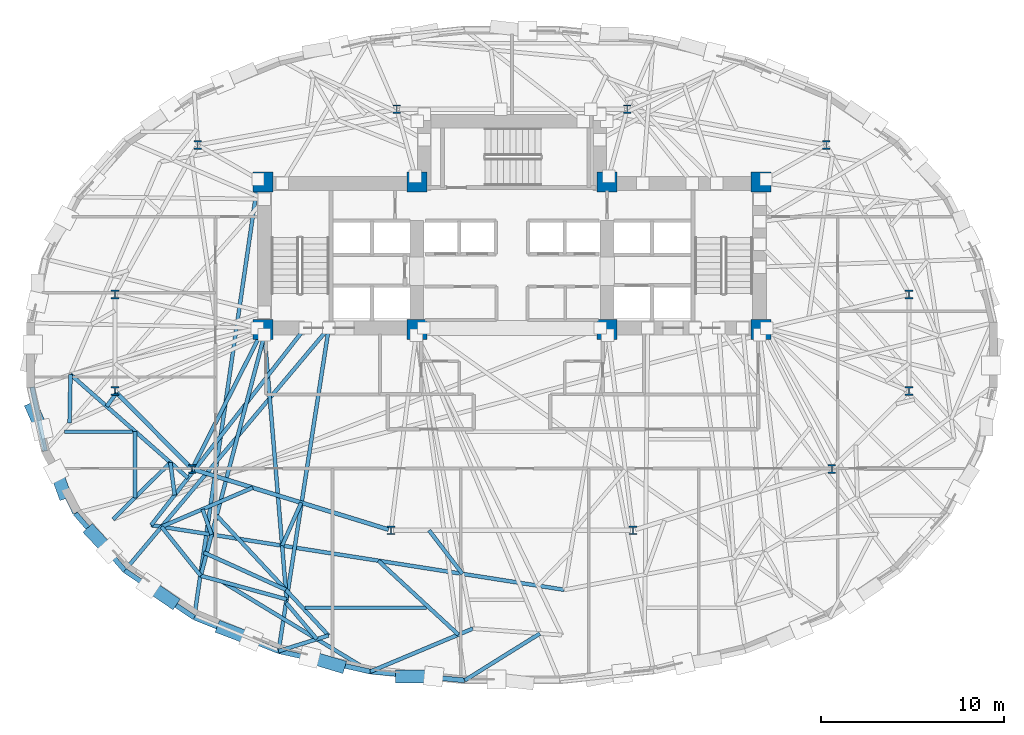
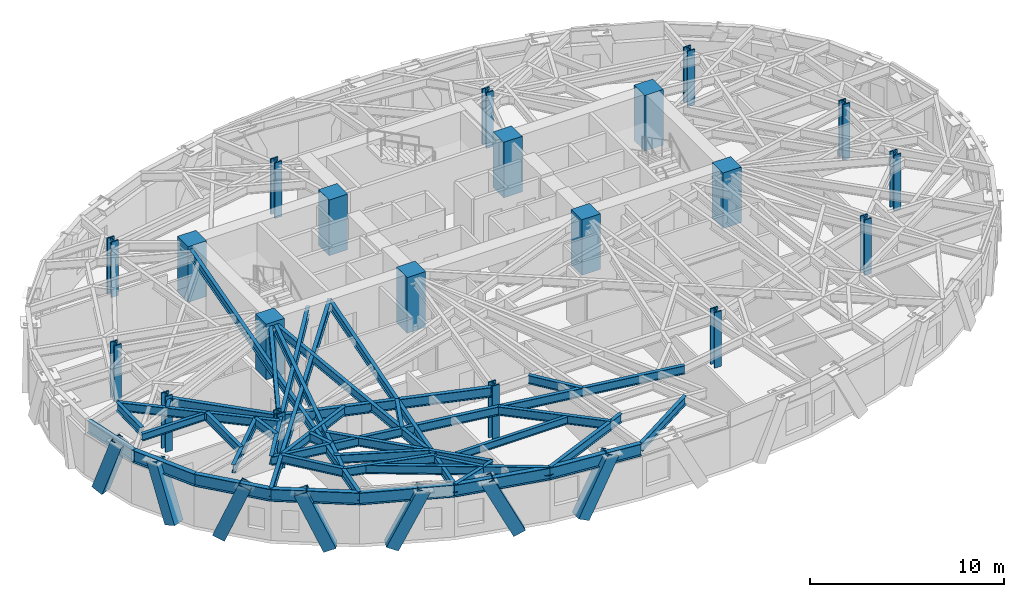
# One storey, part 1 of 14: 39 beams, 20 columns, 7 members.
"""IFC4 building model written with IfcOpenShell, lengths in metres."""

from ifc_helpers import new_model, si_unit, direction, frame, origin, origin_2d, place, context, subcontext, project, spatial, rectangle, hollow_rectangle, i_section, extrude, material, material_profile, profile_set, type_object, element, save


model = new_model("IFC4")

# Units and contexts
model_context = context("Model", 3, precision=1e-05, world=origin(), true_north=direction((0.0, 1.0)))
body_context = subcontext(model_context, "Body", "Model", "MODEL_VIEW")
ifc_project = project(units=[si_unit("LENGTHUNIT", "METRE"), si_unit("AREAUNIT", "SQUARE_METRE"), si_unit("VOLUMEUNIT", "CUBIC_METRE"), si_unit("PLANEANGLEUNIT", "RADIAN"), si_unit("MASSUNIT", "GRAM", prefix="KILO")], contexts=[model_context])

# Site, building, storey
site_placement = place(None, origin())
site = spatial("IfcSite", under=ifc_project, at=site_placement, CompositionType="ELEMENT")
building_placement = place(site_placement, origin())
building = spatial("IfcBuilding", under=site, at=building_placement, Name="Keldmark Tower", CompositionType="ELEMENT")
storey_placement = place(building_placement, frame((0.0, 0.0, 117.60009765625)))
storey = spatial("IfcBuildingStorey", under=building, at=storey_placement, Name="L31", CompositionType="ELEMENT", Elevation=117.60009765625)

# Columns
ifc_material_1 = material(Name="Concrete C70/85", Category="concrete")
ifc_material_profile_1 = material_profile(ifc_material_1, rectangle(XDim=1.10009765625, YDim=1.10009765625, at=origin_2d()), Name="RC1100X1100")
ifc_profile_set_1 = profile_set([ifc_material_profile_1], Name="Concrete C70/85")
column_type_1 = type_object("IfcColumnType", Name="Core Boundary Column RC1100", PredefinedType="COLUMN", material=ifc_profile_set_1)
for number, where, z_axis, x_axis, name in (
    (1, (-13.60009765625, 1.39990234375, 0.0), (0.0, 0.0, 1.0), (1.0, 0.0, 0.0), "L31 Core Boundary Column CC-W1"),
    (2, (-13.60009765625, 9.449951171875, 0.0), (0.0, 0.0, 1.0), (1.0, 0.0, 0.0), "L31 Core Boundary Column CC-W2"),
    (3, (-5.199951171875, 1.39990234375, 0.0), (0.0, 0.0, 1.0), (1.0, 0.0, 0.0), "L31 Core Boundary Column CC-W3"),
    (4, (-5.199951171875, 9.449951171875, 0.0), (0.0, 0.0, 1.0), (1.0, 0.0, 0.0), "L31 Core Boundary Column CC-W4"),
    (5, (5.199951171875, 1.39990234375, 0.0), (0.0, 0.0, 1.0), (1.0, 0.0, 0.0), "L31 Core Boundary Column CC-E1"),
    (6, (5.199951171875, 9.449951171875, 0.0), (0.0, 0.0, 1.0), (1.0, 0.0, 0.0), "L31 Core Boundary Column CC-E2"),
    (7, (13.60009765625, 1.39990234375, 0.0), (0.0, 0.0, 1.0), (1.0, 0.0, 0.0), "L31 Core Boundary Column CC-E3"),
    (8, (13.60009765625, 9.449951171875, 0.0), (0.0, 0.0, 1.0), (1.0, 0.0, 0.0), "L31 Core Boundary Column CC-E4"),
):
    element("IfcColumn", number, at=place(storey_placement, frame(where, z_axis=z_axis, x_axis=x_axis)), inside=storey, type_object=column_type_1, Name=name, PredefinedType="COLUMN", context=body_context, shape_type="SweptSolid", body=[
        extrude(rectangle(XDim=1.10009765625, YDim=1.10009765625, at=origin_2d()), origin(), (0.0, 0.0, 1.0), 3.5),
    ])
ifc_material_2 = material(Name="Steel ASTM A992 Grade 50", Category="steel")
ifc_material_profile_2 = material_profile(ifc_material_2, i_section(OverallWidth=0.424072265625, OverallDepth=0.47412109375, WebThickness=0.047607421875, FlangeThickness=0.0771484375, at=origin_2d()), Name="W14X426")
ifc_profile_set_2 = profile_set([ifc_material_profile_2], Name="Steel ASTM A992 Grade 50")
column_type_2 = type_object("IfcColumnType", Name="Tower Gravity Column W14X426", PredefinedType="COLUMN", material=ifc_profile_set_2)
for number, where, z_axis, x_axis, name in (
    (9, (21.697021484375, 3.309814453125, 0.0), (0.0, 0.0, 1.0), (1.0, 0.0, 0.0), "L31 Tower Gravity Column TC-E1"),
    (10, (17.1669921875, 11.478271484375, 0.0), (0.0, 0.0, 1.0), (1.0, 0.0, 0.0), "L31 Tower Gravity Column TC-E4"),
    (11, (6.298828125, 13.4326171875, 0.0), (0.0, 0.0, 1.0), (1.0, 0.0, 0.0), "L31 Tower Gravity Column TC-N2"),
    (12, (-6.298828125, 13.4326171875, 0.0), (0.0, 0.0, 1.0), (1.0, 0.0, 0.0), "L31 Tower Gravity Column TC-N1"),
    (13, (-17.1669921875, 11.478271484375, 0.0), (0.0, 0.0, 1.0), (1.0, 0.0, 0.0), "L31 Tower Gravity Column TC-W4"),
    (14, (-21.697021484375, 3.309814453125, 0.0), (0.0, 0.0, 1.0), (1.0, 0.0, 0.0), "L31 Tower Gravity Column TC-W1"),
    (15, (-21.697021484375, -1.9658203125, 0.0), (0.0, 0.0, 1.0), (1.0, 0.0, 0.0), "L31 Tower Gravity Column TC-W5"),
    (16, (-17.477294921875, -6.2294921875, 0.0), (0.0, 0.0, 1.0), (1.0, 0.0, 0.0), "L31 Tower Gravity Column TC-W2"),
    (17, (-6.61279296875, -9.579345703125, 0.0), (0.0, 0.0, 1.0), (1.0, 0.0, 0.0), "L31 Tower Gravity Column TC-W3"),
    (18, (6.61279296875, -9.579345703125, 0.0), (0.0, 0.0, 1.0), (1.0, 0.0, 0.0), "L31 Tower Gravity Column TC-E3"),
    (19, (17.477294921875, -6.2294921875, 0.0), (0.0, 0.0, 1.0), (1.0, 0.0, 0.0), "L31 Tower Gravity Column TC-E2"),
    (20, (21.697021484375, -1.9658203125, 0.0), (0.0, 0.0, 1.0), (1.0, 0.0, 0.0), "L31 Tower Gravity Column TC-E5"),
):
    element("IfcColumn", number, at=place(storey_placement, frame(where, z_axis=z_axis, x_axis=x_axis)), inside=storey, type_object=column_type_2, Name=name, PredefinedType="COLUMN", context=body_context, shape_type="SweptSolid", body=[
        extrude(i_section(OverallWidth=0.424072265625, OverallDepth=0.47412109375, WebThickness=0.047607421875, FlangeThickness=0.0771484375, at=origin_2d()), origin(), (0.0, 0.0, 1.0), 3.5),
    ])

# Beams
ifc_material_3 = material(Name="Steel ASTM A992 Grade 50", Category="steel")
ifc_material_profile_3 = material_profile(ifc_material_3, i_section(OverallWidth=0.19091796875, OverallDepth=0.45703125, WebThickness=0.009033203125, FlangeThickness=0.014404296875, at=origin_2d()), Name="W18X50")
ifc_profile_set_3 = profile_set([ifc_material_profile_3], Name="Steel ASTM A992 Grade 50")
beam_type_1 = type_object("IfcBeamType", Name="Composite Floor Joist W18X50", PredefinedType="JOIST", material=ifc_profile_set_3)
beam_1_placement = place(storey_placement, frame((-11.3154296875, -13.800048828125, 3.081298828125), z_axis=(1.0, 0.0, 0.0), x_axis=(0.0, 1.0, 0.0)))
element("IfcBeam", 21, at=beam_1_placement, inside=storey, type_object=beam_type_1, Name="L31 Composite Floor Joist J01", PredefinedType="JOIST", context=body_context, shape_type="SweptSolid", body=[
    extrude(i_section(OverallWidth=0.19091796875, OverallDepth=0.45703125, WebThickness=0.009033203125, FlangeThickness=0.014404296875, at=origin_2d()), origin(), (0.0, 0.0, 1.0), 6.641845703125),
])
beam_2_placement = place(storey_placement, frame((-24.45556640625, -4.179931640625, 3.081298828125), z_axis=(1.0, 0.0, 0.0), x_axis=(0.0, 1.0, 0.0)))
element("IfcBeam", 22, at=beam_2_placement, inside=storey, type_object=beam_type_1, Name="L31 Composite Floor Joist J05", PredefinedType="JOIST", context=body_context, shape_type="SweptSolid", body=[
    extrude(i_section(OverallWidth=0.19091796875, OverallDepth=0.45703125, WebThickness=0.009033203125, FlangeThickness=0.014404296875, at=origin_2d()), origin(), (0.0, 0.0, 1.0), 3.72216796875),
])

# Members
ifc_material_4 = material(Name="Steel ASTM A572 Grade 50", Category="steel")
ifc_material_profile_4 = material_profile(ifc_material_4, hollow_rectangle(XDim=0.699951171875, YDim=0.699951171875, WallThickness=0.044921875, at=origin_2d()), Name="BOX700X700X45")
ifc_profile_set_4 = profile_set([ifc_material_profile_4], Name="Steel ASTM A572 Grade 50")
member_type = type_object("IfcMemberType", Name="Diagrid Zone 2 Brace BOX700X700X45", PredefinedType="BRACE", material=ifc_profile_set_4)
member_1_placement = place(storey_placement, frame((-26.193603515625, -2.937744140625, -0.27001953125), z_axis=(0.136715052981, -0.309551033024, 0.941003268986), x_axis=(0.914755754377, 0.404007314085, 0.0)))
element("IfcMember", 23, at=member_1_placement, inside=storey, type_object=member_type, Name="L31 Perimeter Diagrid Brace 09A", PredefinedType="BRACE", context=body_context, shape_type="SweptSolid", body=[
    extrude(hollow_rectangle(XDim=0.699951171875, YDim=0.699951171875, WallThickness=0.044921875, at=origin_2d()), origin(), (0.0, 0.0, 1.0), 3.677001953125),
])
member_2_placement = place(storey_placement, frame((-24.48193359375, -7.53173828125, -0.27001953125), z_axis=(-0.115677594289, 0.31774815653, 0.941092345735), x_axis=(-0.939667219059, -0.342089925935, 0.0)))
element("IfcMember", 24, at=member_2_placement, inside=storey, type_object=member_type, Name="L31 Perimeter Diagrid Brace 09B", PredefinedType="BRACE", context=body_context, shape_type="SweptSolid", body=[
    extrude(hollow_rectangle(XDim=0.699951171875, YDim=0.699951171875, WallThickness=0.044921875, at=origin_2d()), origin(), (0.0, 0.0, 1.0), 3.676513671875),
])
member_3_placement = place(storey_placement, frame((-22.969482421875, -9.683349609375, -0.27001953125), z_axis=(0.257418052175, -0.273245076724, 0.926861950056), x_axis=(0.727872576198, 0.685712412618, 0.0)))
element("IfcMember", 25, at=member_3_placement, inside=storey, type_object=member_type, Name="L31 Perimeter Diagrid Brace 10A", PredefinedType="BRACE", context=body_context, shape_type="SweptSolid", body=[
    extrude(hollow_rectangle(XDim=0.699951171875, YDim=0.699951171875, WallThickness=0.044921875, at=origin_2d()), origin(), (0.0, 0.0, 1.0), 3.73291015625),
])
member_4_placement = place(storey_placement, frame((-18.588623046875, -13.45361328125, -0.27001953125), z_axis=(-0.333081004884, 0.227714034546, 0.914988176238), x_axis=(-0.564374110269, -0.825519147966, 0.0)))
element("IfcMember", 26, at=member_4_placement, inside=storey, type_object=member_type, Name="L31 Perimeter Diagrid Brace 10B", PredefinedType="BRACE", context=body_context, shape_type="SweptSolid", body=[
    extrude(hollow_rectangle(XDim=0.699951171875, YDim=0.699951171875, WallThickness=0.044921875, at=origin_2d()), origin(), (0.0, 0.0, 1.0), 3.781494140625),
])
member_5_placement = place(storey_placement, frame((-15.80908203125, -14.9326171875, -0.27001953125), z_axis=(0.404998247522, -0.153591515039, 0.901324617445), x_axis=(0.354596691599, 0.935019350766, 0.0)))
element("IfcMember", 27, at=member_5_placement, inside=storey, type_object=member_type, Name="L31 Perimeter Diagrid Brace 11A", PredefinedType="BRACE", context=body_context, shape_type="SweptSolid", body=[
    extrude(hollow_rectangle(XDim=0.699951171875, YDim=0.699951171875, WallThickness=0.044921875, at=origin_2d()), origin(), (0.0, 0.0, 1.0), 3.8388671875),
])
member_6_placement = place(storey_placement, frame((-9.439697265625, -16.982666015625, -0.27001953125), z_axis=(-0.419880974586, 0.125393457214, 0.898875101485), x_axis=(-0.286152554398, -0.958184071884, 0.0)))
element("IfcMember", 28, at=member_6_placement, inside=storey, type_object=member_type, Name="L31 Perimeter Diagrid Brace 11B", PredefinedType="BRACE", context=body_context, shape_type="SweptSolid", body=[
    extrude(hollow_rectangle(XDim=0.699951171875, YDim=0.699951171875, WallThickness=0.044921875, at=origin_2d()), origin(), (0.0, 0.0, 1.0), 3.84912109375),
])
member_7_placement = place(storey_placement, frame((-6.053955078125, -17.55908203125, -0.27001953125), z_axis=(0.455336778856, -0.000565401629, 0.890319099055), x_axis=(0.001241720897, 0.999999229064, 0.0)))
element("IfcMember", 29, at=member_7_placement, inside=storey, type_object=member_type, Name="L31 Perimeter Diagrid Brace 12A", PredefinedType="BRACE", context=body_context, shape_type="SweptSolid", body=[
    extrude(hollow_rectangle(XDim=0.699951171875, YDim=0.699951171875, WallThickness=0.044921875, at=origin_2d()), origin(), (0.0, 0.0, 1.0), 3.88623046875),
])

# Beams
ifc_material_5 = material(Name="Steel ASTM A992 Grade 50", Category="steel")
ifc_material_profile_5 = material_profile(ifc_material_5, i_section(OverallWidth=0.22900390625, OverallDepth=0.612060546875, WebThickness=0.011962890625, FlangeThickness=0.01953125, at=origin_2d()), Name="W24X84")
ifc_profile_set_5 = profile_set([ifc_material_profile_5], Name="Steel ASTM A992 Grade 50")
beam_type_2 = type_object("IfcBeamType", Name="Primary Floor Girder W24X84", PredefinedType="BEAM", material=ifc_profile_set_5)
beam_3_placement = place(storey_placement, frame((-21.598388671875, -2.0654296875, 3.00390625), z_axis=(0.703425791323, -0.71076870788, 0.0), x_axis=(0.71076870788, 0.703425791323, 0.0)))
element("IfcBeam", 30, at=beam_3_placement, inside=storey, type_object=beam_type_2, Name="L31 Floor Ring Girder FG-R07", PredefinedType="BEAM", context=body_context, shape_type="SweptSolid", body=[
    extrude(i_section(OverallWidth=0.22900390625, OverallDepth=0.612060546875, WebThickness=0.011962890625, FlangeThickness=0.01953125, at=origin_2d()), origin(), (0.0, 0.0, 1.0), 5.71875),
])
beam_4_placement = place(storey_placement, frame((-17.343505859375, -6.270751953125, 3.00390625), z_axis=(0.955607954968, -0.294641199432, 0.0), x_axis=(0.294641199432, 0.955607954968, 0.0)))
element("IfcBeam", 31, at=beam_4_placement, inside=storey, type_object=beam_type_2, Name="L31 Floor Ring Girder FG-R08", PredefinedType="BEAM", context=body_context, shape_type="SweptSolid", body=[
    extrude(i_section(OverallWidth=0.22900390625, OverallDepth=0.612060546875, WebThickness=0.011962890625, FlangeThickness=0.01953125, at=origin_2d()), origin(), (0.0, 0.0, 1.0), 11.089111328125),
])
ifc_material_6 = material(Name="Steel ASTM A992 Grade 50", Category="steel")
ifc_material_profile_6 = material_profile(ifc_material_6, i_section(OverallWidth=0.2099609375, OverallDepth=0.537109375, WebThickness=0.010986328125, FlangeThickness=0.017333984375, at=origin_2d()), Name="W21X68")
ifc_profile_set_6 = profile_set([ifc_material_profile_6], Name="Steel ASTM A992 Grade 50")
beam_type_3 = type_object("IfcBeamType", Name="Radial Tie Girder W21X68", PredefinedType="BEAM", material=ifc_profile_set_6)
beam_5_placement = place(storey_placement, frame((-17.413818359375, -6.104736328125, 3.04150390625), z_axis=(0.453028637759, 0.891495963743, 0.0), x_axis=(-0.891495963743, 0.453028637759, 0.0)))
element("IfcBeam", 32, at=beam_5_placement, inside=storey, type_object=beam_type_3, Name="L31 Floor Radial Girder FG-C08", PredefinedType="BEAM", context=body_context, shape_type="SweptSolid", body=[
    extrude(i_section(OverallWidth=0.2099609375, OverallDepth=0.537109375, WebThickness=0.010986328125, FlangeThickness=0.017333984375, at=origin_2d()), origin(), (0.0, 0.0, 1.0), 8.09814453125),
])
beam_6_placement = place(storey_placement, frame((-24.123291015625, -1.063720703125, 3.04150390625), z_axis=(0.750405497341, -0.660977752697, 0.0), x_axis=(0.660977752697, 0.750405497341, 0.0)))
element("IfcBeam", 33, at=beam_6_placement, inside=storey, type_object=beam_type_3, Name="L31 Framing Pin Header PH-009", PredefinedType="BEAM", context=body_context, shape_type="SweptSolid", body=[
    extrude(i_section(OverallWidth=0.2099609375, OverallDepth=0.537109375, WebThickness=0.010986328125, FlangeThickness=0.017333984375, at=origin_2d()), origin(), (0.0, 0.0, 1.0), 8.555908203125),
])
beam_7_placement = place(storey_placement, frame((-11.30712890625, 1.47509765625, 3.04150390625), z_axis=(-0.615283041822, -0.788306271982, 0.0), x_axis=(0.788306271982, -0.615283041822, 0.0)))
element("IfcBeam", 34, at=beam_7_placement, inside=storey, type_object=beam_type_3, Name="L31 Sub-Ring Step Girder STP2-M08", PredefinedType="BEAM", context=body_context, shape_type="SweptSolid", body=[
    extrude(i_section(OverallWidth=0.2099609375, OverallDepth=0.537109375, WebThickness=0.010986328125, FlangeThickness=0.017333984375, at=origin_2d()), origin(), (0.0, 0.0, 1.0), 13.664306640625),
])
beam_8_placement = place(storey_placement, frame((-19.714599609375, -9.296630859375, 3.04150390625), z_axis=(0.987972015601, -0.154632779156, 0.0), x_axis=(0.154632779156, 0.987972015601, 0.0)))
element("IfcBeam", 35, at=beam_8_placement, inside=storey, type_object=beam_type_3, Name="L31 Perimeter Collector Ring Beam CRG2-M08", PredefinedType="BEAM", context=body_context, shape_type="SweptSolid", body=[
    extrude(i_section(OverallWidth=0.2099609375, OverallDepth=0.537109375, WebThickness=0.010986328125, FlangeThickness=0.017333984375, at=origin_2d()), origin(), (0.0, 0.0, 1.0), 22.845947265625),
])
beam_9_placement = place(storey_placement, frame((-21.598388671875, -2.0654296875, 3.04150390625), z_axis=(-0.594256844507, -0.804275327706, 0.0), x_axis=(0.804275327706, -0.594256844507, 0.0)))
element("IfcBeam", 36, at=beam_9_placement, inside=storey, type_object=beam_type_3, Name="L31 Framing Pin Header PH-025", PredefinedType="BEAM", context=body_context, shape_type="SweptSolid", body=[
    extrude(i_section(OverallWidth=0.2099609375, OverallDepth=0.537109375, WebThickness=0.010986328125, FlangeThickness=0.017333984375, at=origin_2d()), origin(), (0.0, 0.0, 1.0), 0.920654296875),
])
beam_10_placement = place(storey_placement, frame((-24.123291015625, -1.063720703125, 3.04150390625), z_axis=(-0.018714035685, -0.9998248771, 0.0), x_axis=(0.9998248771, -0.018714035685, 0.0)))
element("IfcBeam", 37, at=beam_10_placement, inside=storey, type_object=beam_type_3, Name="L31 Local Collector Chord RT-18C", PredefinedType="BEAM", context=body_context, shape_type="SweptSolid", body=[
    extrude(i_section(OverallWidth=0.2099609375, OverallDepth=0.537109375, WebThickness=0.010986328125, FlangeThickness=0.017333984375, at=origin_2d()), origin(), (0.0, 0.0, 1.0), 2.661376953125),
])
beam_11_placement = place(storey_placement, frame((-18.666015625, -5.870849609375, 3.04150390625), z_axis=(0.129327580965, -0.991601924565, 0.0), x_axis=(0.991601924565, 0.129327580965, 0.0)))
element("IfcBeam", 38, at=beam_11_placement, inside=storey, type_object=beam_type_3, Name="L31 Framing Pin Header PH-026", PredefinedType="BEAM", context=body_context, shape_type="SweptSolid", body=[
    extrude(i_section(OverallWidth=0.2099609375, OverallDepth=0.537109375, WebThickness=0.010986328125, FlangeThickness=0.017333984375, at=origin_2d()), origin(), (0.0, 0.0, 1.0), 1.799072265625),
])
beam_12_placement = place(storey_placement, frame((-18.666015625, -5.870849609375, 3.04150390625), z_axis=(-0.709625564695, -0.704578993393, 0.0), x_axis=(0.704578993393, -0.709625564695, 0.0)))
element("IfcBeam", 39, at=beam_12_placement, inside=storey, type_object=beam_type_3, Name="L31 Local Collector Chord RT-19C", PredefinedType="BEAM", context=body_context, shape_type="SweptSolid", body=[
    extrude(i_section(OverallWidth=0.2099609375, OverallDepth=0.537109375, WebThickness=0.010986328125, FlangeThickness=0.017333984375, at=origin_2d()), origin(), (0.0, 0.0, 1.0), 4.40234375),
])
beam_13_placement = place(storey_placement, frame((-20.592041015625, -4.17431640625, 3.04150390625), z_axis=(-0.004512346302, -0.999989819314, 0.0), x_axis=(0.999989819314, -0.004512346302, 0.0)))
element("IfcBeam", 40, at=beam_13_placement, inside=storey, type_object=beam_type_3, Name="L31 Framing Pin Header PH-027", PredefinedType="BEAM", context=body_context, shape_type="SweptSolid", body=[
    extrude(i_section(OverallWidth=0.2099609375, OverallDepth=0.537109375, WebThickness=0.010986328125, FlangeThickness=0.017333984375, at=origin_2d()), origin(), (0.0, 0.0, 1.0), 3.625),
])
beam_14_placement = place(storey_placement, frame((-14.164306640625, -7.2509765625, 3.04150390625), z_axis=(-0.91932190637, -0.393506330913, 0.0), x_axis=(0.393506330913, -0.91932190637, 0.0)))
element("IfcBeam", 41, at=beam_14_placement, inside=storey, type_object=beam_type_3, Name="L31 Framing Pin Header PH-028", PredefinedType="BEAM", context=body_context, shape_type="SweptSolid", body=[
    extrude(i_section(OverallWidth=0.2099609375, OverallDepth=0.537109375, WebThickness=0.010986328125, FlangeThickness=0.017333984375, at=origin_2d()), origin(), (0.0, 0.0, 1.0), 5.423095703125),
])
beam_15_placement = place(storey_placement, frame((-10.0107421875, 1.47509765625, 3.04150390625), z_axis=(-0.643873019591, -0.765132364132, 0.0), x_axis=(0.765132364132, -0.643873019591, 0.0)))
element("IfcBeam", 42, at=beam_15_placement, inside=storey, type_object=beam_type_3, Name="L31 Perimeter Radial Tie Girder RT-20", PredefinedType="BEAM", context=body_context, shape_type="SweptSolid", body=[
    extrude(i_section(OverallWidth=0.2099609375, OverallDepth=0.537109375, WebThickness=0.010986328125, FlangeThickness=0.017333984375, at=origin_2d()), origin(), (0.0, 0.0, 1.0), 17.31494140625),
])
beam_16_placement = place(storey_placement, frame((-16.906494140625, -8.4248046875, 3.04150390625), z_axis=(0.335097898326, -0.94218331472, 0.0), x_axis=(0.94218331472, 0.335097898326, 0.0)))
element("IfcBeam", 43, at=beam_16_placement, inside=storey, type_object=beam_type_3, Name="L31 Framing Pin Header PH-029", PredefinedType="BEAM", context=body_context, shape_type="SweptSolid", body=[
    extrude(i_section(OverallWidth=0.2099609375, OverallDepth=0.537109375, WebThickness=0.010986328125, FlangeThickness=0.017333984375, at=origin_2d()), origin(), (0.0, 0.0, 1.0), 1.473876953125),
])
beam_17_placement = place(storey_placement, frame((-13.52490234375, 1.10009765625, 3.04150390625), z_axis=(-0.255800384675, -0.966729622594, 0.0), x_axis=(0.966729622594, -0.255800384675, 0.0)))
element("IfcBeam", 44, at=beam_17_placement, inside=storey, type_object=beam_type_3, Name="L31 Intermediate Radial Step Girder RT-21M", PredefinedType="BEAM", context=body_context, shape_type="SweptSolid", body=[
    extrude(i_section(OverallWidth=0.2099609375, OverallDepth=0.537109375, WebThickness=0.010986328125, FlangeThickness=0.017333984375, at=origin_2d()), origin(), (0.0, 0.0, 1.0), 13.61376953125),
])
beam_18_placement = place(storey_placement, frame((-19.14990234375, -9.385009765625, 3.04150390625), z_axis=(0.625042409079, -0.780590793472, 0.0), x_axis=(0.780590793472, 0.625042409079, 0.0)))
element("IfcBeam", 45, at=beam_18_placement, inside=storey, type_object=beam_type_3, Name="L31 Local Collector Chord RT-21C", PredefinedType="BEAM", context=body_context, shape_type="SweptSolid", body=[
    extrude(i_section(OverallWidth=0.2099609375, OverallDepth=0.537109375, WebThickness=0.010986328125, FlangeThickness=0.017333984375, at=origin_2d()), origin(), (0.0, 0.0, 1.0), 3.427978515625),
])
beam_19_placement = place(storey_placement, frame((-13.89990234375, 9.375, 3.04150390625), z_axis=(-0.144544558095, -0.989498292432, 0.0), x_axis=(0.989498292432, -0.144544558095, 0.0)))
element("IfcBeam", 46, at=beam_19_placement, inside=storey, type_object=beam_type_3, Name="L31 Perimeter Radial Tie Girder RT-21", PredefinedType="BEAM", context=body_context, shape_type="SweptSolid", body=[
    extrude(i_section(OverallWidth=0.2099609375, OverallDepth=0.537109375, WebThickness=0.010986328125, FlangeThickness=0.017333984375, at=origin_2d()), origin(), (0.0, 0.0, 1.0), 23.972412109375),
])
beam_20_placement = place(storey_placement, frame((-11.51513671875, -8.06787109375, 3.04150390625), z_axis=(-0.406411632567, -0.91369009238, 0.0), x_axis=(0.91369009238, -0.406411632567, 0.0)))
element("IfcBeam", 47, at=beam_20_placement, inside=storey, type_object=beam_type_3, Name="L31 Framing Pin Header PH-030", PredefinedType="BEAM", context=body_context, shape_type="SweptSolid", body=[
    extrude(i_section(OverallWidth=0.2099609375, OverallDepth=0.537109375, WebThickness=0.010986328125, FlangeThickness=0.017333984375, at=origin_2d()), origin(), (0.0, 0.0, 1.0), 2.570556640625),
])
beam_21_placement = place(storey_placement, frame((-13.52490234375, 1.10009765625, 3.04150390625), z_axis=(0.083512171606, -0.996506757224, 0.0), x_axis=(0.996506757224, 0.083512171606, 0.0)))
element("IfcBeam", 48, at=beam_21_placement, inside=storey, type_object=beam_type_3, Name="L31 Intermediate Radial Step Girder RT-22M", PredefinedType="BEAM", context=body_context, shape_type="SweptSolid", body=[
    extrude(i_section(OverallWidth=0.2099609375, OverallDepth=0.537109375, WebThickness=0.010986328125, FlangeThickness=0.017333984375, at=origin_2d()), origin(), (0.0, 0.0, 1.0), 14.503173828125),
])
beam_22_placement = place(storey_placement, frame((-17.00732421875, -12.060791015625, 3.04150390625), z_axis=(0.964165312935, -0.265302184938, 0.0), x_axis=(0.265302184938, 0.964165312935, 0.0)))
element("IfcBeam", 49, at=beam_22_placement, inside=storey, type_object=beam_type_3, Name="L31 Local Collector Chord RT-22C", PredefinedType="BEAM", context=body_context, shape_type="SweptSolid", body=[
    extrude(i_section(OverallWidth=0.2099609375, OverallDepth=0.537109375, WebThickness=0.010986328125, FlangeThickness=0.017333984375, at=origin_2d()), origin(), (0.0, 0.0, 1.0), 4.8681640625),
])
beam_23_placement = place(storey_placement, frame((-10.0107421875, 1.47509765625, 3.04150390625), z_axis=(-0.153664907438, -0.988123016745, 0.0), x_axis=(0.988123016745, -0.153664907438, 0.0)))
element("IfcBeam", 50, at=beam_23_placement, inside=storey, type_object=beam_type_3, Name="L31 Perimeter Radial Tie Girder RT-22", PredefinedType="BEAM", context=body_context, shape_type="SweptSolid", body=[
    extrude(i_section(OverallWidth=0.2099609375, OverallDepth=0.537109375, WebThickness=0.010986328125, FlangeThickness=0.017333984375, at=origin_2d()), origin(), (0.0, 0.0, 1.0), 17.867431640625),
])
beam_24_placement = place(storey_placement, frame((-16.84521484375, -10.78759765625, 3.04150390625), z_axis=(0.910581827778, -0.413328845982, 0.0), x_axis=(0.413328845982, 0.910581827778, 0.0)))
element("IfcBeam", 51, at=beam_24_placement, inside=storey, type_object=beam_type_3, Name="L31 Framing Pin Header PH-031", PredefinedType="BEAM", context=body_context, shape_type="SweptSolid", body=[
    extrude(i_section(OverallWidth=0.2099609375, OverallDepth=0.537109375, WebThickness=0.010986328125, FlangeThickness=0.017333984375, at=origin_2d()), origin(), (0.0, 0.0, 1.0), 4.927978515625),
])
beam_25_placement = place(storey_placement, frame((-16.13671875, -8.770751953125, 3.04150390625), z_axis=(0.681878377279, -0.731465568978, 0.0), x_axis=(0.731465568978, 0.681878377279, 0.0)))
element("IfcBeam", 52, at=beam_25_placement, inside=storey, type_object=beam_type_3, Name="L31 Intermediate Radial Step Girder RT-23M", PredefinedType="BEAM", context=body_context, shape_type="SweptSolid", body=[
    extrude(i_section(OverallWidth=0.2099609375, OverallDepth=0.537109375, WebThickness=0.010986328125, FlangeThickness=0.017333984375, at=origin_2d()), origin(), (0.0, 0.0, 1.0), 8.960693359375),
])
beam_26_placement = place(storey_placement, frame((-12.75634765625, -16.18017578125, 3.04150390625), z_axis=(0.95428690803, 0.298892116261, 0.0), x_axis=(-0.298892116261, 0.95428690803, 0.0)))
element("IfcBeam", 53, at=beam_26_placement, inside=storey, type_object=beam_type_3, Name="L31 Local Collector Chord RT-23C", PredefinedType="BEAM", context=body_context, shape_type="SweptSolid", body=[
    extrude(i_section(OverallWidth=0.2099609375, OverallDepth=0.537109375, WebThickness=0.010986328125, FlangeThickness=0.017333984375, at=origin_2d()), origin(), (0.0, 0.0, 1.0), 2.860595703125),
])
beam_27_placement = place(storey_placement, frame((-12.344482421875, -13.531982421875, 3.04150390625), z_axis=(0.645308322439, -0.763922227057, 0.0), x_axis=(0.763922227057, 0.645308322439, 0.0)))
element("IfcBeam", 54, at=beam_27_placement, inside=storey, type_object=beam_type_3, Name="L31 Framing Pin Header PH-032", PredefinedType="BEAM", context=body_context, shape_type="SweptSolid", body=[
    extrude(i_section(OverallWidth=0.2099609375, OverallDepth=0.537109375, WebThickness=0.010986328125, FlangeThickness=0.017333984375, at=origin_2d()), origin(), (0.0, 0.0, 1.0), 2.60791015625),
])
beam_28_placement = place(storey_placement, frame((-15.833984375, -12.3837890625, 3.04150390625), z_axis=(0.854789966103, -0.518974097475, 0.0), x_axis=(0.518974097475, 0.854789966103, 0.0)))
element("IfcBeam", 55, at=beam_28_placement, inside=storey, type_object=beam_type_3, Name="L31 Perimeter Radial Tie Girder RT-23", PredefinedType="BEAM", context=body_context, shape_type="SweptSolid", body=[
    extrude(i_section(OverallWidth=0.2099609375, OverallDepth=0.537109375, WebThickness=0.010986328125, FlangeThickness=0.017333984375, at=origin_2d()), origin(), (0.0, 0.0, 1.0), 9.46923828125),
])
beam_29_placement = place(storey_placement, frame((-4.531005859375, -9.579345703125, 3.04150390625), z_axis=(0.607936993527, -0.793985271841, 0.0), x_axis=(0.793985271841, 0.607936993527, 0.0)))
element("IfcBeam", 56, at=beam_29_placement, inside=storey, type_object=beam_type_3, Name="L31 Framing Pin Header PH-033", PredefinedType="BEAM", context=body_context, shape_type="SweptSolid", body=[
    extrude(i_section(OverallWidth=0.2099609375, OverallDepth=0.537109375, WebThickness=0.010986328125, FlangeThickness=0.017333984375, at=origin_2d()), origin(), (0.0, 0.0, 1.0), 2.995849609375),
])
beam_30_placement = place(storey_placement, frame((-7.73974609375, -17.298095703125, 3.04150390625), z_axis=(0.922081963893, 0.386994640614, 0.0), x_axis=(-0.386994640614, 0.922081963893, 0.0)))
element("IfcBeam", 57, at=beam_30_placement, inside=storey, type_object=beam_type_3, Name="L31 Local Collector Chord RT-24C", PredefinedType="BEAM", context=body_context, shape_type="SweptSolid", body=[
    extrude(i_section(OverallWidth=0.2099609375, OverallDepth=0.537109375, WebThickness=0.010986328125, FlangeThickness=0.017333984375, at=origin_2d()), origin(), (0.0, 0.0, 1.0), 6.0732421875),
])
beam_31_placement = place(storey_placement, frame((-7.300537109375, -11.239501953125, 3.04150390625), z_axis=(0.734408613905, -0.678707586389, 0.0), x_axis=(0.678707586389, 0.734408613905, 0.0)))
element("IfcBeam", 58, at=beam_31_placement, inside=storey, type_object=beam_type_3, Name="L31 Framing Pin Header PH-034", PredefinedType="BEAM", context=body_context, shape_type="SweptSolid", body=[
    extrude(i_section(OverallWidth=0.2099609375, OverallDepth=0.537109375, WebThickness=0.010986328125, FlangeThickness=0.017333984375, at=origin_2d()), origin(), (0.0, 0.0, 1.0), 5.9521484375),
])
beam_32_placement = place(storey_placement, frame((-2.582763671875, -17.77880859375, 3.04150390625), z_axis=(0.848564266331, 0.529092322668, 0.0), x_axis=(-0.529092322668, 0.848564266331, 0.0)))
element("IfcBeam", 59, at=beam_32_placement, inside=storey, type_object=beam_type_3, Name="L31 Framing Pin Header PH-036", PredefinedType="BEAM", context=body_context, shape_type="SweptSolid", body=[
    extrude(i_section(OverallWidth=0.2099609375, OverallDepth=0.537109375, WebThickness=0.010986328125, FlangeThickness=0.017333984375, at=origin_2d()), origin(), (0.0, 0.0, 1.0), 4.8427734375),
])
ifc_material_7 = material(Name="Steel ASTM A992 Grade 50", Category="steel")
ifc_material_profile_7 = material_profile(ifc_material_7, i_section(OverallWidth=0.26806640625, OverallDepth=0.77001953125, WebThickness=0.015625, FlangeThickness=0.025390625, at=origin_2d()), Name="W30X132")
ifc_profile_set_7 = profile_set([ifc_material_profile_7], Name="Steel ASTM A992 Grade 50")
beam_type_4 = type_object("IfcBeamType", Name="Spandrel Ring Beam W30X132", PredefinedType="SPANDREL", material=ifc_profile_set_7)
beam_33_placement = place(storey_placement, frame((-26.223388671875, -1.751220703125, 2.9248046875), z_axis=(0.198747709054, -0.980050686519, 0.0), x_axis=(0.980050686519, 0.198747709054, 0.0)))
element("IfcBeam", 60, at=beam_33_placement, inside=storey, type_object=beam_type_4, Name="L31 Perimeter Spandrel Ring Beam SRB-17", PredefinedType="SPANDREL", context=body_context, shape_type="SweptSolid", body=[
    extrude(i_section(OverallWidth=0.26806640625, OverallDepth=0.77001953125, WebThickness=0.015625, FlangeThickness=0.025390625, at=origin_2d()), origin(), (0.0, 0.0, 1.0), 3.567138671875),
])
beam_34_placement = place(storey_placement, frame((-25.514404296875, -5.247314453125, 2.9248046875), z_axis=(0.43625131955, -0.899824864177, 0.0), x_axis=(0.899824864177, 0.43625131955, 0.0)))
element("IfcBeam", 61, at=beam_34_placement, inside=storey, type_object=beam_type_4, Name="L31 Perimeter Spandrel Ring Beam SRB-18", PredefinedType="SPANDREL", context=body_context, shape_type="SweptSolid", body=[
    extrude(i_section(OverallWidth=0.26806640625, OverallDepth=0.77001953125, WebThickness=0.015625, FlangeThickness=0.025390625, at=origin_2d()), origin(), (0.0, 0.0, 1.0), 3.77978515625),
])
beam_35_placement = place(storey_placement, frame((-23.865478515625, -8.6484375, 2.9248046875), z_axis=(0.654644924638, -0.755936520249, 0.0), x_axis=(0.755936520249, 0.654644924638, 0.0)))
element("IfcBeam", 62, at=beam_35_placement, inside=storey, type_object=beam_type_4, Name="L31 Perimeter Spandrel Ring Beam SRB-19", PredefinedType="SPANDREL", context=body_context, shape_type="SweptSolid", body=[
    extrude(i_section(OverallWidth=0.26806640625, OverallDepth=0.77001953125, WebThickness=0.015625, FlangeThickness=0.025390625, at=origin_2d()), origin(), (0.0, 0.0, 1.0), 4.133544921875),
])
beam_36_placement = place(storey_placement, frame((-21.159423828125, -11.773193359375, 2.9248046875), z_axis=(0.827707240431, -0.56116015908, 0.0), x_axis=(0.56116015908, 0.827707240431, 0.0)))
element("IfcBeam", 63, at=beam_36_placement, inside=storey, type_object=beam_type_4, Name="L31 Perimeter Spandrel Ring Beam SRB-20", PredefinedType="SPANDREL", context=body_context, shape_type="SweptSolid", body=[
    extrude(i_section(OverallWidth=0.26806640625, OverallDepth=0.77001953125, WebThickness=0.015625, FlangeThickness=0.025390625, at=origin_2d()), origin(), (0.0, 0.0, 1.0), 4.584228515625),
])
beam_37_placement = place(storey_placement, frame((-17.364990234375, -14.345703125, 2.9248046875), z_axis=(0.92909994532, -0.369828732804, 0.0), x_axis=(0.369828732804, 0.92909994532, 0.0)))
element("IfcBeam", 64, at=beam_37_placement, inside=storey, type_object=beam_type_4, Name="L31 Perimeter Spandrel Ring Beam SRB-21", PredefinedType="SPANDREL", context=body_context, shape_type="SweptSolid", body=[
    extrude(i_section(OverallWidth=0.26806640625, OverallDepth=0.77001953125, WebThickness=0.015625, FlangeThickness=0.025390625, at=origin_2d()), origin(), (0.0, 0.0, 1.0), 4.96044921875),
])
beam_38_placement = place(storey_placement, frame((-12.75634765625, -16.18017578125, 2.9248046875), z_axis=(0.976058355685, -0.217508818896, 0.0), x_axis=(0.217508818896, 0.976058355685, 0.0)))
element("IfcBeam", 65, at=beam_38_placement, inside=storey, type_object=beam_type_4, Name="L31 Perimeter Spandrel Ring Beam SRB-22", PredefinedType="SPANDREL", context=body_context, shape_type="SweptSolid", body=[
    extrude(i_section(OverallWidth=0.26806640625, OverallDepth=0.77001953125, WebThickness=0.015625, FlangeThickness=0.025390625, at=origin_2d()), origin(), (0.0, 0.0, 1.0), 5.1396484375),
])
beam_39_placement = place(storey_placement, frame((-7.73974609375, -17.298095703125, 2.9248046875), z_axis=(0.995683505502, -0.092813559737, 0.0), x_axis=(0.092813559737, 0.995683505502, 0.0)))
element("IfcBeam", 66, at=beam_39_placement, inside=storey, type_object=beam_type_4, Name="L31 Perimeter Spandrel Ring Beam SRB-23", PredefinedType="SPANDREL", context=body_context, shape_type="SweptSolid", body=[
    extrude(i_section(OverallWidth=0.26806640625, OverallDepth=0.77001953125, WebThickness=0.015625, FlangeThickness=0.025390625, at=origin_2d()), origin(), (0.0, 0.0, 1.0), 5.179443359375),
])

save(model, "model.ifc")
